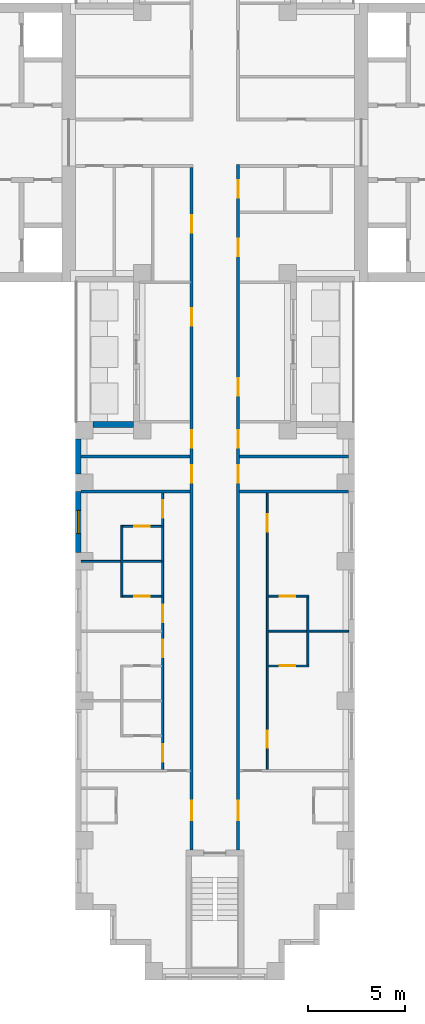
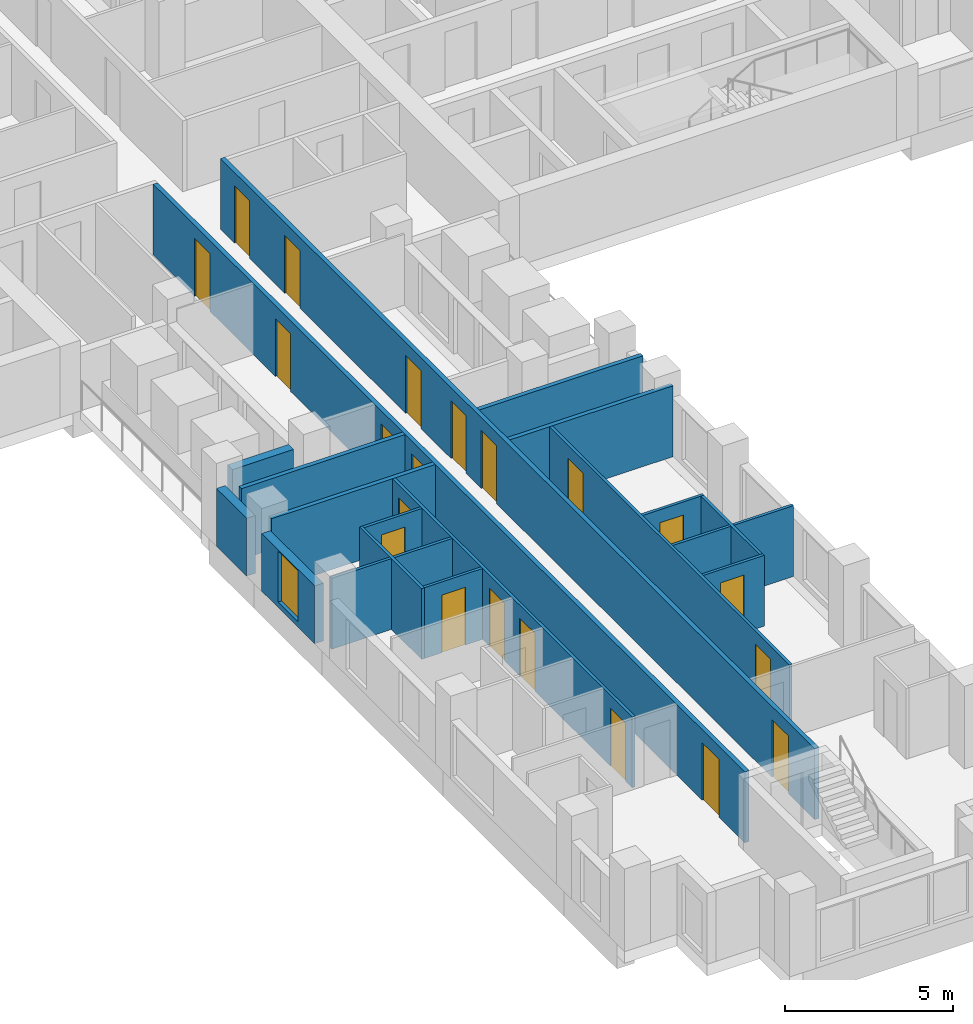
# One storey, part 4 of 13: 21 doors, 19 walls, 1 window, 22 openings.
"""IFC4 building model written with IfcOpenShell, lengths in metres."""

from ifc_helpers import new_model, si_unit, direction, frame, frame_2d, origin, place, context, subcontext, project, spatial, rectangle, extrude, material, layer, layer_set, type_object, element, fill, save


model = new_model("IFC4")

# Units and contexts
model_context = context("Model", 3, precision=1e-05, world=origin(), true_north=direction((0.0, 1.0)))
body_context = subcontext(model_context, "Body", "Model", "MODEL_VIEW")
ifc_project = project(units=[si_unit("LENGTHUNIT", "METRE"), si_unit("AREAUNIT", "SQUARE_METRE"), si_unit("VOLUMEUNIT", "CUBIC_METRE"), si_unit("PLANEANGLEUNIT", "RADIAN"), si_unit("MASSUNIT", "GRAM", prefix="KILO")], contexts=[model_context])

# Site, building, storey
site_placement = place(None, origin())
site = spatial("IfcSite", under=ifc_project, at=site_placement, CompositionType="ELEMENT")
building_placement = place(site_placement, origin())
building = spatial("IfcBuilding", under=site, at=building_placement, Name="Fustian Cross Tower", CompositionType="ELEMENT")
storey_placement = place(building_placement, frame((0.0, 0.0, 105.89990234375)))
storey = spatial("IfcBuildingStorey", under=building, at=storey_placement, Name="L33", CompositionType="ELEMENT", Elevation=105.89990234375)

# Walls
ifc_material_1 = material(Name="Plasterboard on steel stud", Category="steel")
ifc_layer_1 = layer(ifc_material_1, 0.14990234375)
ifc_layer_set_1 = layer_set([ifc_layer_1], Name="Plasterboard on steel stud")
wall_type_1 = type_object("IfcWallType", Name="COMPARTMENT WALL 150 EI 60", PredefinedType="PARTITIONING", material=ifc_layer_set_1)
for number, where, z_axis, x_axis, name in (
    (1, (-6.89990234375, -18.0, 0.0), (0.0, 0.0, 1.0), (1.0, 0.0, 0.0), "Partition 21"),
    (2, (-6.89990234375, -16.199951171875, 0.0), (0.0, 0.0, 1.0), (1.0, 0.0, 0.0), "Partition 22"),
):
    element("IfcWall", number, at=place(storey_placement, frame(where, z_axis=z_axis, x_axis=x_axis)), inside=storey, type_object=wall_type_1, Name=name, PredefinedType="PARTITIONING", context=body_context, shape_type="SweptSolid", body=[
        extrude(rectangle(XDim=5.625, YDim=0.14990234375, at=frame_2d((2.8125, 0.0))), origin(), (0.0, 0.0, 1.0), 2.5751953125),
    ])

# Wall, openings, doors
wall_1_placement = place(storey_placement, frame((-1.199951171875, -36.5, 0.0), z_axis=(0.0, 0.0, 1.0), x_axis=(0.0, 1.0, 0.0)))
wall_1 = element("IfcWall", 3, at=wall_1_placement, inside=storey, type_object=wall_type_1, Name="Partition 40", PredefinedType="PARTITIONING", context=body_context, shape_type="SweptSolid", body=[
    extrude(rectangle(XDim=35.22509765625, YDim=0.14990234375, at=frame_2d((17.612548828125, 0.0))), origin(), (0.0, 0.0, 1.0), 2.5751953125),
])
opening_1_placement = place(wall_1_placement, frame((31.85009765625, 0.0, 0.0)))
opening_1 = element("IfcOpeningElement", 4, at=opening_1_placement, cuts=wall_1, Name="Opening D15008", PredefinedType="OPENING", context=body_context, shape_type="SweptSolid", body=[
    extrude(rectangle(XDim=0.89990234375, YDim=2.10009765625, at=frame_2d((0.449951171875, 1.050048828125))), frame((0.0, 0.0849609375, 0.0), z_axis=(0.0, -1.0, 0.0), x_axis=(1.0, 0.0, 0.0)), (0.0, 0.0, 1.0), 0.169921875),
])
opening_2_placement = place(wall_1_placement, frame((27.050048828125, 0.0, 0.0)))
opening_2 = element("IfcOpeningElement", 5, at=opening_2_placement, cuts=wall_1, Name="Opening D15047", PredefinedType="OPENING", context=body_context, shape_type="SweptSolid", body=[
    extrude(rectangle(XDim=0.89990234375, YDim=2.10009765625, at=frame_2d((0.449951171875, 1.050048828125))), frame((0.0, 0.0849609375, 0.0), z_axis=(0.0, -1.0, 0.0), x_axis=(1.0, 0.0, 0.0)), (0.0, 0.0, 1.0), 0.169921875),
])
opening_3_placement = place(wall_1_placement, frame((20.75, 0.0, 0.0)))
opening_3 = element("IfcOpeningElement", 6, at=opening_3_placement, cuts=wall_1, Name="Opening D15048", PredefinedType="OPENING", context=body_context, shape_type="SweptSolid", body=[
    extrude(rectangle(XDim=0.89990234375, YDim=2.10009765625, at=frame_2d((0.449951171875, 1.050048828125))), frame((0.0, 0.0849609375, 0.0), z_axis=(0.0, -1.0, 0.0), x_axis=(1.0, 0.0, 0.0)), (0.0, 0.0, 1.0), 0.169921875),
])
opening_4_placement = place(wall_1_placement, frame((18.949951171875, 0.0, 0.0)))
opening_4 = element("IfcOpeningElement", 7, at=opening_4_placement, cuts=wall_1, Name="Opening D15049", PredefinedType="OPENING", context=body_context, shape_type="SweptSolid", body=[
    extrude(rectangle(XDim=0.89990234375, YDim=2.10009765625, at=frame_2d((0.449951171875, 1.050048828125))), frame((0.0, 0.0849609375, 0.0), z_axis=(0.0, -1.0, 0.0), x_axis=(1.0, 0.0, 0.0)), (0.0, 0.0, 1.0), 0.169921875),
])
opening_5_placement = place(wall_1_placement, frame((1.550048828125, 0.0, 0.0)))
opening_5 = element("IfcOpeningElement", 8, at=opening_5_placement, cuts=wall_1, Name="Opening D15051", PredefinedType="OPENING", context=body_context, shape_type="SweptSolid", body=[
    extrude(rectangle(XDim=1.0, YDim=2.10009765625, at=frame_2d((0.5, 1.050048828125))), frame((0.0, 0.0849609375, 0.0), z_axis=(0.0, -1.0, 0.0), x_axis=(1.0, 0.0, 0.0)), (0.0, 0.0, 1.0), 0.169921875),
])
ifc_material_2 = material(Name="Timber fire door set", Category="wood")
door_type_1 = type_object("IfcDoorType", Name="FIRE SWING DOOR 1000 FD30S", OperationType="SINGLE_SWING_LEFT", PredefinedType="DOOR", material=ifc_material_2)
door_1_placement = place(opening_5_placement, origin())
door_1 = element("IfcDoor", 9, at=door_1_placement, inside=storey, type_object=door_type_1, Name="Door D15051", OperationType="SINGLE_SWING_RIGHT", OverallHeight=2.10009765625, OverallWidth=1.0, PredefinedType="DOOR", context=body_context, shape_type="SweptSolid", body=[
    extrude(rectangle(XDim=1.0, YDim=2.10009765625, at=frame_2d((0.5, 1.050048828125))), frame((0.0, 0.02490234375, 0.0), z_axis=(0.0, -1.0, 0.0), x_axis=(1.0, 0.0, 0.0)), (0.0, 0.0, 1.0), 0.050048828125),
])
fill(opening_5, door_1)
ifc_material_3 = material(Name="Timber fire door set", Category="wood")
door_type_2 = type_object("IfcDoorType", Name="FIRE SWING DOOR 900 FD30S", OperationType="SINGLE_SWING_LEFT", PredefinedType="DOOR", material=ifc_material_3)
door_2_placement = place(opening_1_placement, origin())
door_2 = element("IfcDoor", 10, at=door_2_placement, inside=storey, type_object=door_type_2, Name="Door D15008", OperationType="SINGLE_SWING_LEFT", OverallHeight=2.10009765625, OverallWidth=0.89990234375, PredefinedType="DOOR", context=body_context, shape_type="SweptSolid", body=[
    extrude(rectangle(XDim=0.89990234375, YDim=2.10009765625, at=frame_2d((0.449951171875, 1.050048828125))), frame((0.0, 0.02490234375, 0.0), z_axis=(0.0, -1.0, 0.0), x_axis=(1.0, 0.0, 0.0)), (0.0, 0.0, 1.0), 0.050048828125),
])
fill(opening_1, door_2)
door_3_placement = place(opening_2_placement, origin())
door_3 = element("IfcDoor", 11, at=door_3_placement, inside=storey, type_object=door_type_2, Name="Door D15047", OperationType="SINGLE_SWING_RIGHT", OverallHeight=2.10009765625, OverallWidth=0.89990234375, PredefinedType="DOOR", context=body_context, shape_type="SweptSolid", body=[
    extrude(rectangle(XDim=0.89990234375, YDim=2.10009765625, at=frame_2d((0.449951171875, 1.050048828125))), frame((0.0, 0.02490234375, 0.0), z_axis=(0.0, -1.0, 0.0), x_axis=(1.0, 0.0, 0.0)), (0.0, 0.0, 1.0), 0.050048828125),
])
fill(opening_2, door_3)
door_4_placement = place(opening_3_placement, origin())
door_4 = element("IfcDoor", 12, at=door_4_placement, inside=storey, type_object=door_type_2, Name="Door D15048", OperationType="SINGLE_SWING_RIGHT", OverallHeight=2.10009765625, OverallWidth=0.89990234375, PredefinedType="DOOR", context=body_context, shape_type="SweptSolid", body=[
    extrude(rectangle(XDim=0.89990234375, YDim=2.10009765625, at=frame_2d((0.449951171875, 1.050048828125))), frame((0.0, 0.02490234375, 0.0), z_axis=(0.0, -1.0, 0.0), x_axis=(1.0, 0.0, 0.0)), (0.0, 0.0, 1.0), 0.050048828125),
])
fill(opening_3, door_4)
door_5_placement = place(opening_4_placement, frame((0.89990234375, 0.0, 0.0), z_axis=(0.0, 0.0, 1.0), x_axis=(-1.0, 0.0, 0.0)))
door_5 = element("IfcDoor", 13, at=door_5_placement, inside=storey, type_object=door_type_2, Name="Door D15049", OperationType="SINGLE_SWING_LEFT", OverallHeight=2.10009765625, OverallWidth=0.89990234375, PredefinedType="DOOR", context=body_context, shape_type="SweptSolid", body=[
    extrude(rectangle(XDim=0.89990234375, YDim=2.10009765625, at=frame_2d((0.449951171875, 1.050048828125))), frame((0.0, 0.02490234375, 0.0), z_axis=(0.0, -1.0, 0.0), x_axis=(1.0, 0.0, 0.0)), (0.0, 0.0, 1.0), 0.050048828125),
])
fill(opening_4, door_5)

wall_2_placement = place(storey_placement, frame((1.199951171875, -36.5, 0.0), z_axis=(0.0, 0.0, 1.0), x_axis=(0.0, 1.0, 0.0)))
wall_2 = element("IfcWall", 14, at=wall_2_placement, inside=storey, type_object=wall_type_1, Name="Partition 43", PredefinedType="PARTITIONING", context=body_context, shape_type="SweptSolid", body=[
    extrude(rectangle(XDim=35.375, YDim=0.14990234375, at=frame_2d((17.6875, 0.0))), origin(), (0.0, 0.0, 1.0), 2.5751953125),
])
opening_6_placement = place(wall_2_placement, frame((33.64990234375, 0.0, 0.0)))
opening_6 = element("IfcOpeningElement", 15, at=opening_6_placement, cuts=wall_2, Name="Opening D15005", PredefinedType="OPENING", context=body_context, shape_type="SweptSolid", body=[
    extrude(rectangle(XDim=0.89990234375, YDim=2.10009765625, at=frame_2d((0.449951171875, 1.050048828125))), frame((0.0, 0.0849609375, 0.0), z_axis=(0.0, -1.0, 0.0), x_axis=(1.0, 0.0, 0.0)), (0.0, 0.0, 1.0), 0.169921875),
])
opening_7_placement = place(wall_2_placement, frame((30.64990234375, 0.0, 0.0)))
opening_7 = element("IfcOpeningElement", 16, at=opening_7_placement, cuts=wall_2, Name="Opening D15007", PredefinedType="OPENING", context=body_context, shape_type="SweptSolid", body=[
    extrude(rectangle(XDim=0.89990234375, YDim=2.10009765625, at=frame_2d((0.449951171875, 1.050048828125))), frame((0.0, 0.0849609375, 0.0), z_axis=(0.0, -1.0, 0.0), x_axis=(1.0, 0.0, 0.0)), (0.0, 0.0, 1.0), 0.169921875),
])
opening_8_placement = place(wall_2_placement, frame((23.449951171875, 0.0, 0.0)))
opening_8 = element("IfcOpeningElement", 17, at=opening_8_placement, cuts=wall_2, Name="Opening D15037", PredefinedType="OPENING", context=body_context, shape_type="SweptSolid", body=[
    extrude(rectangle(XDim=0.89990234375, YDim=2.10009765625, at=frame_2d((0.449951171875, 1.050048828125))), frame((0.0, 0.0849609375, 0.0), z_axis=(0.0, -1.0, 0.0), x_axis=(1.0, 0.0, 0.0)), (0.0, 0.0, 1.0), 0.169921875),
])
opening_9_placement = place(wall_2_placement, frame((20.75, 0.0, 0.0)))
opening_9 = element("IfcOpeningElement", 18, at=opening_9_placement, cuts=wall_2, Name="Opening D15038", PredefinedType="OPENING", context=body_context, shape_type="SweptSolid", body=[
    extrude(rectangle(XDim=0.89990234375, YDim=2.10009765625, at=frame_2d((0.449951171875, 1.050048828125))), frame((0.0, 0.0849609375, 0.0), z_axis=(0.0, -1.0, 0.0), x_axis=(1.0, 0.0, 0.0)), (0.0, 0.0, 1.0), 0.169921875),
])
opening_10_placement = place(wall_2_placement, frame((18.949951171875, 0.0, 0.0)))
opening_10 = element("IfcOpeningElement", 19, at=opening_10_placement, cuts=wall_2, Name="Opening D15039", PredefinedType="OPENING", context=body_context, shape_type="SweptSolid", body=[
    extrude(rectangle(XDim=0.89990234375, YDim=2.10009765625, at=frame_2d((0.449951171875, 1.050048828125))), frame((0.0, 0.0849609375, 0.0), z_axis=(0.0, -1.0, 0.0), x_axis=(1.0, 0.0, 0.0)), (0.0, 0.0, 1.0), 0.169921875),
])
opening_11_placement = place(wall_2_placement, frame((1.550048828125, 0.0, 0.0)))
opening_11 = element("IfcOpeningElement", 20, at=opening_11_placement, cuts=wall_2, Name="Opening D15041", PredefinedType="OPENING", context=body_context, shape_type="SweptSolid", body=[
    extrude(rectangle(XDim=1.0, YDim=2.10009765625, at=frame_2d((0.5, 1.050048828125))), frame((0.0, 0.0849609375, 0.0), z_axis=(0.0, -1.0, 0.0), x_axis=(1.0, 0.0, 0.0)), (0.0, 0.0, 1.0), 0.169921875),
])
door_6_placement = place(opening_11_placement, frame((1.0, 0.0, 0.0), z_axis=(0.0, 0.0, 1.0), x_axis=(-1.0, 0.0, 0.0)))
door_6 = element("IfcDoor", 21, at=door_6_placement, inside=storey, type_object=door_type_1, Name="Door D15041", OperationType="SINGLE_SWING_LEFT", OverallHeight=2.10009765625, OverallWidth=1.0, PredefinedType="DOOR", context=body_context, shape_type="SweptSolid", body=[
    extrude(rectangle(XDim=1.0, YDim=2.10009765625, at=frame_2d((0.5, 1.050048828125))), frame((0.0, 0.02490234375, 0.0), z_axis=(0.0, -1.0, 0.0), x_axis=(1.0, 0.0, 0.0)), (0.0, 0.0, 1.0), 0.050048828125),
])
fill(opening_11, door_6)
door_7_placement = place(opening_6_placement, frame((0.89990234375, 0.0, 0.0), z_axis=(0.0, 0.0, 1.0), x_axis=(-1.0, 0.0, 0.0)))
door_7 = element("IfcDoor", 22, at=door_7_placement, inside=storey, type_object=door_type_2, Name="Door D15005", OperationType="SINGLE_SWING_RIGHT", OverallHeight=2.10009765625, OverallWidth=0.89990234375, PredefinedType="DOOR", context=body_context, shape_type="SweptSolid", body=[
    extrude(rectangle(XDim=0.89990234375, YDim=2.10009765625, at=frame_2d((0.449951171875, 1.050048828125))), frame((0.0, 0.02490234375, 0.0), z_axis=(0.0, -1.0, 0.0), x_axis=(1.0, 0.0, 0.0)), (0.0, 0.0, 1.0), 0.050048828125),
])
fill(opening_6, door_7)
door_8_placement = place(opening_7_placement, frame((0.89990234375, 0.0, 0.0), z_axis=(0.0, 0.0, 1.0), x_axis=(-1.0, 0.0, 0.0)))
door_8 = element("IfcDoor", 23, at=door_8_placement, inside=storey, type_object=door_type_2, Name="Door D15007", OperationType="SINGLE_SWING_RIGHT", OverallHeight=2.10009765625, OverallWidth=0.89990234375, PredefinedType="DOOR", context=body_context, shape_type="SweptSolid", body=[
    extrude(rectangle(XDim=0.89990234375, YDim=2.10009765625, at=frame_2d((0.449951171875, 1.050048828125))), frame((0.0, 0.02490234375, 0.0), z_axis=(0.0, -1.0, 0.0), x_axis=(1.0, 0.0, 0.0)), (0.0, 0.0, 1.0), 0.050048828125),
])
fill(opening_7, door_8)
door_9_placement = place(opening_8_placement, frame((0.89990234375, 0.0, 0.0), z_axis=(0.0, 0.0, 1.0), x_axis=(-1.0, 0.0, 0.0)))
door_9 = element("IfcDoor", 24, at=door_9_placement, inside=storey, type_object=door_type_2, Name="Door D15037", OperationType="SINGLE_SWING_RIGHT", OverallHeight=2.10009765625, OverallWidth=0.89990234375, PredefinedType="DOOR", context=body_context, shape_type="SweptSolid", body=[
    extrude(rectangle(XDim=0.89990234375, YDim=2.10009765625, at=frame_2d((0.449951171875, 1.050048828125))), frame((0.0, 0.02490234375, 0.0), z_axis=(0.0, -1.0, 0.0), x_axis=(1.0, 0.0, 0.0)), (0.0, 0.0, 1.0), 0.050048828125),
])
fill(opening_8, door_9)
door_10_placement = place(opening_9_placement, origin())
door_10 = element("IfcDoor", 25, at=door_10_placement, inside=storey, type_object=door_type_2, Name="Door D15038", OperationType="SINGLE_SWING_RIGHT", OverallHeight=2.10009765625, OverallWidth=0.89990234375, PredefinedType="DOOR", context=body_context, shape_type="SweptSolid", body=[
    extrude(rectangle(XDim=0.89990234375, YDim=2.10009765625, at=frame_2d((0.449951171875, 1.050048828125))), frame((0.0, 0.02490234375, 0.0), z_axis=(0.0, -1.0, 0.0), x_axis=(1.0, 0.0, 0.0)), (0.0, 0.0, 1.0), 0.050048828125),
])
fill(opening_9, door_10)
door_11_placement = place(opening_10_placement, frame((0.89990234375, 0.0, 0.0), z_axis=(0.0, 0.0, 1.0), x_axis=(-1.0, 0.0, 0.0)))
door_11 = element("IfcDoor", 26, at=door_11_placement, inside=storey, type_object=door_type_2, Name="Door D15039", OperationType="SINGLE_SWING_LEFT", OverallHeight=2.10009765625, OverallWidth=0.89990234375, PredefinedType="DOOR", context=body_context, shape_type="SweptSolid", body=[
    extrude(rectangle(XDim=0.89990234375, YDim=2.10009765625, at=frame_2d((0.449951171875, 1.050048828125))), frame((0.0, 0.02490234375, 0.0), z_axis=(0.0, -1.0, 0.0), x_axis=(1.0, 0.0, 0.0)), (0.0, 0.0, 1.0), 0.050048828125),
])
fill(opening_10, door_11)

# Walls
for number, where, z_axis, x_axis, name in (
    (27, (1.27490234375, -18.0, 0.0), (0.0, 0.0, 1.0), (1.0, 0.0, 0.0), "Partition 45"),
    (28, (1.27490234375, -16.199951171875, 0.0), (0.0, 0.0, 1.0), (1.0, 0.0, 0.0), "Partition 46"),
):
    element("IfcWall", number, at=place(storey_placement, frame(where, z_axis=z_axis, x_axis=x_axis)), inside=storey, type_object=wall_type_1, Name=name, PredefinedType="PARTITIONING", context=body_context, shape_type="SweptSolid", body=[
        extrude(rectangle(XDim=5.625, YDim=0.14990234375, at=frame_2d((2.8125, 0.0))), origin(), (0.0, 0.0, 1.0), 2.5751953125),
    ])
ifc_material_4 = material(Name="Plasterboard on steel stud", Category="steel")
ifc_layer_2 = layer(ifc_material_4, 0.10009765625)
ifc_layer_set_2 = layer_set([ifc_layer_2], Name="Plasterboard on steel stud")
wall_type_2 = type_object("IfcWallType", Name="PARTITION 100 STUD", PredefinedType="PARTITIONING", material=ifc_layer_set_2)
wall_3_placement = place(storey_placement, frame((-6.89990234375, -21.60009765625, 0.0), z_axis=(0.0, 0.0, 1.0), x_axis=(1.0, 0.0, 0.0)))
element("IfcWall", 29, at=wall_3_placement, inside=storey, type_object=wall_type_2, Name="Partition 20", PredefinedType="PARTITIONING", context=body_context, shape_type="SweptSolid", body=[
    extrude(rectangle(XDim=4.14990234375, YDim=0.10009765625, at=frame_2d((2.074951171875, 0.0))), origin(), (0.0, 0.0, 1.0), 2.5751953125),
])
wall_4_placement = place(storey_placement, frame((-4.800048828125, -23.449951171875, 0.0), z_axis=(0.0, 0.0, 1.0), x_axis=(0.0, 1.0, 0.0)))
element("IfcWall", 30, at=wall_4_placement, inside=storey, type_object=wall_type_2, Name="Partition 28", PredefinedType="PARTITIONING", context=body_context, shape_type="SweptSolid", body=[
    extrude(rectangle(XDim=3.699951171875, YDim=0.10009765625, at=frame_2d((1.85009765625, 0.0))), origin(), (0.0, 0.0, 1.0), 2.5751953125),
])

# Wall, opening, door
wall_5_placement = place(storey_placement, frame((-4.75, -23.39990234375, 0.0), z_axis=(0.0, 0.0, 1.0), x_axis=(1.0, 0.0, 0.0)))
wall_5 = element("IfcWall", 31, at=wall_5_placement, inside=storey, type_object=wall_type_2, Name="Partition 29", PredefinedType="PARTITIONING", context=body_context, shape_type="SweptSolid", body=[
    extrude(rectangle(XDim=2.0, YDim=0.10009765625, at=frame_2d((1.0, 0.0))), origin(), (0.0, 0.0, 1.0), 2.5751953125),
])
opening_12_placement = place(wall_5_placement, frame((0.60009765625, 0.0, 0.0)))
opening_12 = element("IfcOpeningElement", 32, at=opening_12_placement, cuts=wall_5, Name="Opening D15058", PredefinedType="OPENING", context=body_context, shape_type="SweptSolid", body=[
    extrude(rectangle(XDim=0.800048828125, YDim=2.10009765625, at=frame_2d((0.39990234375, 1.050048828125))), frame((0.0, 0.06005859375, 0.0), z_axis=(0.0, -1.0, 0.0), x_axis=(1.0, 0.0, 0.0)), (0.0, 0.0, 1.0), 0.1201171875),
])
ifc_material_5 = material(Name="Painted timber", Category="wood")
door_type_3 = type_object("IfcDoorType", Name="SWING DOOR 800", OperationType="SINGLE_SWING_LEFT", PredefinedType="DOOR", material=ifc_material_5)
door_12_placement = place(opening_12_placement, origin())
door_12 = element("IfcDoor", 33, at=door_12_placement, inside=storey, type_object=door_type_3, Name="Door D15058", OperationType="SINGLE_SWING_LEFT", OverallHeight=2.10009765625, OverallWidth=0.800048828125, PredefinedType="DOOR", context=body_context, shape_type="SweptSolid", body=[
    extrude(rectangle(XDim=0.800048828125, YDim=2.10009765625, at=frame_2d((0.39990234375, 1.050048828125))), frame((0.0, 0.02490234375, 0.0), z_axis=(0.0, -1.0, 0.0), x_axis=(1.0, 0.0, 0.0)), (0.0, 0.0, 1.0), 0.050048828125),
])
fill(opening_12, door_12)

wall_6_placement = place(storey_placement, frame((-4.75, -19.800048828125, 0.0), z_axis=(0.0, 0.0, 1.0), x_axis=(1.0, 0.0, 0.0)))
wall_6 = element("IfcWall", 34, at=wall_6_placement, inside=storey, type_object=wall_type_2, Name="Partition 30", PredefinedType="PARTITIONING", context=body_context, shape_type="SweptSolid", body=[
    extrude(rectangle(XDim=2.0, YDim=0.10009765625, at=frame_2d((1.0, 0.0))), origin(), (0.0, 0.0, 1.0), 2.5751953125),
])
opening_13_placement = place(wall_6_placement, frame((0.60009765625, 0.0, 0.0)))
opening_13 = element("IfcOpeningElement", 35, at=opening_13_placement, cuts=wall_6, Name="Opening D15057", PredefinedType="OPENING", context=body_context, shape_type="SweptSolid", body=[
    extrude(rectangle(XDim=0.800048828125, YDim=2.10009765625, at=frame_2d((0.39990234375, 1.050048828125))), frame((0.0, 0.06005859375, 0.0), z_axis=(0.0, -1.0, 0.0), x_axis=(1.0, 0.0, 0.0)), (0.0, 0.0, 1.0), 0.1201171875),
])
door_13_placement = place(opening_13_placement, frame((0.800048828125, 0.0, 0.0), z_axis=(0.0, 0.0, 1.0), x_axis=(-1.0, 0.0, 0.0)))
door_13 = element("IfcDoor", 36, at=door_13_placement, inside=storey, type_object=door_type_3, Name="Door D15057", OperationType="SINGLE_SWING_RIGHT", OverallHeight=2.10009765625, OverallWidth=0.800048828125, PredefinedType="DOOR", context=body_context, shape_type="SweptSolid", body=[
    extrude(rectangle(XDim=0.800048828125, YDim=2.10009765625, at=frame_2d((0.39990234375, 1.050048828125))), frame((0.0, 0.02490234375, 0.0), z_axis=(0.0, -1.0, 0.0), x_axis=(1.0, 0.0, 0.0)), (0.0, 0.0, 1.0), 0.050048828125),
])
fill(opening_13, door_13)

# Wall, openings, doors
wall_7_placement = place(storey_placement, frame((-2.699951171875, -32.35009765625, 0.0), z_axis=(0.0, 0.0, 1.0), x_axis=(0.0, 1.0, 0.0)))
wall_7 = element("IfcWall", 37, at=wall_7_placement, inside=storey, type_object=wall_type_2, Name="Partition 39", PredefinedType="PARTITIONING", context=body_context, shape_type="SweptSolid", body=[
    extrude(rectangle(XDim=14.275146484375, YDim=0.10009765625, at=frame_2d((7.1376953125, 0.0))), origin(), (0.0, 0.0, 1.0), 2.5751953125),
])
opening_14_placement = place(wall_7_placement, frame((0.400146484375, 0.0, 0.0)))
opening_14 = element("IfcOpeningElement", 38, at=opening_14_placement, cuts=wall_7, Name="Opening D15052", PredefinedType="OPENING", context=body_context, shape_type="SweptSolid", body=[
    extrude(rectangle(XDim=0.89990234375, YDim=2.10009765625, at=frame_2d((0.449951171875, 1.050048828125))), frame((0.0, 0.06005859375, 0.0), z_axis=(0.0, -1.0, 0.0), x_axis=(1.0, 0.0, 0.0)), (0.0, 0.0, 1.0), 0.1201171875),
])
opening_15_placement = place(wall_7_placement, frame((5.800048828125, 0.0, 0.0)))
opening_15 = element("IfcOpeningElement", 39, at=opening_15_placement, cuts=wall_7, Name="Opening D15053", PredefinedType="OPENING", context=body_context, shape_type="SweptSolid", body=[
    extrude(rectangle(XDim=0.89990234375, YDim=2.10009765625, at=frame_2d((0.449951171875, 1.050048828125))), frame((0.0, 0.06005859375, 0.0), z_axis=(0.0, -1.0, 0.0), x_axis=(1.0, 0.0, 0.0)), (0.0, 0.0, 1.0), 0.1201171875),
])
opening_16_placement = place(wall_7_placement, frame((7.60009765625, 0.0, 0.0)))
opening_16 = element("IfcOpeningElement", 40, at=opening_16_placement, cuts=wall_7, Name="Opening D15054", PredefinedType="OPENING", context=body_context, shape_type="SweptSolid", body=[
    extrude(rectangle(XDim=0.89990234375, YDim=2.10009765625, at=frame_2d((0.449951171875, 1.050048828125))), frame((0.0, 0.06005859375, 0.0), z_axis=(0.0, -1.0, 0.0), x_axis=(1.0, 0.0, 0.0)), (0.0, 0.0, 1.0), 0.1201171875),
])
opening_17_placement = place(wall_7_placement, frame((13.0, 0.0, 0.0)))
opening_17 = element("IfcOpeningElement", 41, at=opening_17_placement, cuts=wall_7, Name="Opening D15055", PredefinedType="OPENING", context=body_context, shape_type="SweptSolid", body=[
    extrude(rectangle(XDim=0.89990234375, YDim=2.10009765625, at=frame_2d((0.449951171875, 1.050048828125))), frame((0.0, 0.06005859375, 0.0), z_axis=(0.0, -1.0, 0.0), x_axis=(1.0, 0.0, 0.0)), (0.0, 0.0, 1.0), 0.1201171875),
])
ifc_material_6 = material(Name="Painted timber", Category="wood")
door_type_4 = type_object("IfcDoorType", Name="SWING DOOR 900", OperationType="SINGLE_SWING_LEFT", PredefinedType="DOOR", material=ifc_material_6)
door_14_placement = place(opening_14_placement, origin())
door_14 = element("IfcDoor", 42, at=door_14_placement, inside=storey, type_object=door_type_4, Name="Door D15052", OperationType="SINGLE_SWING_LEFT", OverallHeight=2.10009765625, OverallWidth=0.89990234375, PredefinedType="DOOR", context=body_context, shape_type="SweptSolid", body=[
    extrude(rectangle(XDim=0.89990234375, YDim=2.10009765625, at=frame_2d((0.449951171875, 1.050048828125))), frame((0.0, 0.02490234375, 0.0), z_axis=(0.0, -1.0, 0.0), x_axis=(1.0, 0.0, 0.0)), (0.0, 0.0, 1.0), 0.050048828125),
])
fill(opening_14, door_14)
door_15_placement = place(opening_15_placement, origin())
door_15 = element("IfcDoor", 43, at=door_15_placement, inside=storey, type_object=door_type_4, Name="Door D15053", OperationType="SINGLE_SWING_LEFT", OverallHeight=2.10009765625, OverallWidth=0.89990234375, PredefinedType="DOOR", context=body_context, shape_type="SweptSolid", body=[
    extrude(rectangle(XDim=0.89990234375, YDim=2.10009765625, at=frame_2d((0.449951171875, 1.050048828125))), frame((0.0, 0.02490234375, 0.0), z_axis=(0.0, -1.0, 0.0), x_axis=(1.0, 0.0, 0.0)), (0.0, 0.0, 1.0), 0.050048828125),
])
fill(opening_15, door_15)
door_16_placement = place(opening_16_placement, origin())
door_16 = element("IfcDoor", 44, at=door_16_placement, inside=storey, type_object=door_type_4, Name="Door D15054", OperationType="SINGLE_SWING_LEFT", OverallHeight=2.10009765625, OverallWidth=0.89990234375, PredefinedType="DOOR", context=body_context, shape_type="SweptSolid", body=[
    extrude(rectangle(XDim=0.89990234375, YDim=2.10009765625, at=frame_2d((0.449951171875, 1.050048828125))), frame((0.0, 0.02490234375, 0.0), z_axis=(0.0, -1.0, 0.0), x_axis=(1.0, 0.0, 0.0)), (0.0, 0.0, 1.0), 0.050048828125),
])
fill(opening_16, door_16)
door_17_placement = place(opening_17_placement, origin())
door_17 = element("IfcDoor", 45, at=door_17_placement, inside=storey, type_object=door_type_4, Name="Door D15055", OperationType="SINGLE_SWING_LEFT", OverallHeight=2.10009765625, OverallWidth=0.89990234375, PredefinedType="DOOR", context=body_context, shape_type="SweptSolid", body=[
    extrude(rectangle(XDim=0.89990234375, YDim=2.10009765625, at=frame_2d((0.449951171875, 1.050048828125))), frame((0.0, 0.02490234375, 0.0), z_axis=(0.0, -1.0, 0.0), x_axis=(1.0, 0.0, 0.0)), (0.0, 0.0, 1.0), 0.050048828125),
])
fill(opening_17, door_17)

wall_8_placement = place(storey_placement, frame((2.699951171875, -32.35009765625, 0.0), z_axis=(0.0, 0.0, 1.0), x_axis=(0.0, 1.0, 0.0)))
wall_8 = element("IfcWall", 46, at=wall_8_placement, inside=storey, type_object=wall_type_2, Name="Partition 59", PredefinedType="PARTITIONING", context=body_context, shape_type="SweptSolid", body=[
    extrude(rectangle(XDim=14.275146484375, YDim=0.10009765625, at=frame_2d((7.1376953125, 0.0))), origin(), (0.0, 0.0, 1.0), 2.5751953125),
])
opening_18_placement = place(wall_8_placement, frame((1.1201171875, 0.0, 0.0)))
opening_18 = element("IfcOpeningElement", 47, at=opening_18_placement, cuts=wall_8, Name="Opening D15043", PredefinedType="OPENING", context=body_context, shape_type="SweptSolid", body=[
    extrude(rectangle(XDim=0.89990234375, YDim=2.10009765625, at=frame_2d((0.449951171875, 1.050048828125))), frame((0.0, 0.06005859375, 0.0), z_axis=(0.0, -1.0, 0.0), x_axis=(1.0, 0.0, 0.0)), (0.0, 0.0, 1.0), 0.1201171875),
])
opening_19_placement = place(wall_8_placement, frame((12.280029296875, 0.0, 0.0)))
opening_19 = element("IfcOpeningElement", 48, at=opening_19_placement, cuts=wall_8, Name="Opening D15044", PredefinedType="OPENING", context=body_context, shape_type="SweptSolid", body=[
    extrude(rectangle(XDim=0.89990234375, YDim=2.10009765625, at=frame_2d((0.449951171875, 1.050048828125))), frame((0.0, 0.06005859375, 0.0), z_axis=(0.0, -1.0, 0.0), x_axis=(1.0, 0.0, 0.0)), (0.0, 0.0, 1.0), 0.1201171875),
])
door_18_placement = place(opening_18_placement, origin())
door_18 = element("IfcDoor", 49, at=door_18_placement, inside=storey, type_object=door_type_4, Name="Door D15043", OperationType="SINGLE_SWING_LEFT", OverallHeight=2.10009765625, OverallWidth=0.89990234375, PredefinedType="DOOR", context=body_context, shape_type="SweptSolid", body=[
    extrude(rectangle(XDim=0.89990234375, YDim=2.10009765625, at=frame_2d((0.449951171875, 1.050048828125))), frame((0.0, 0.02490234375, 0.0), z_axis=(0.0, -1.0, 0.0), x_axis=(1.0, 0.0, 0.0)), (0.0, 0.0, 1.0), 0.050048828125),
])
fill(opening_18, door_18)
door_19_placement = place(opening_19_placement, origin())
door_19 = element("IfcDoor", 50, at=door_19_placement, inside=storey, type_object=door_type_4, Name="Door D15044", OperationType="SINGLE_SWING_RIGHT", OverallHeight=2.10009765625, OverallWidth=0.89990234375, PredefinedType="DOOR", context=body_context, shape_type="SweptSolid", body=[
    extrude(rectangle(XDim=0.89990234375, YDim=2.10009765625, at=frame_2d((0.449951171875, 1.050048828125))), frame((0.0, 0.02490234375, 0.0), z_axis=(0.0, -1.0, 0.0), x_axis=(1.0, 0.0, 0.0)), (0.0, 0.0, 1.0), 0.050048828125),
])
fill(opening_19, door_19)

# Wall, opening, door
wall_9_placement = place(storey_placement, frame((2.75, -27.0, 0.0), z_axis=(0.0, 0.0, 1.0), x_axis=(1.0, 0.0, 0.0)))
wall_9 = element("IfcWall", 51, at=wall_9_placement, inside=storey, type_object=wall_type_2, Name="Partition 60", PredefinedType="PARTITIONING", context=body_context, shape_type="SweptSolid", body=[
    extrude(rectangle(XDim=2.10009765625, YDim=0.10009765625, at=frame_2d((1.050048828125, 0.0))), origin(), (0.0, 0.0, 1.0), 2.5751953125),
])
opening_20_placement = place(wall_9_placement, frame((0.60009765625, 0.0, 0.0)))
opening_20 = element("IfcOpeningElement", 52, at=opening_20_placement, cuts=wall_9, Name="Opening D15046", PredefinedType="OPENING", context=body_context, shape_type="SweptSolid", body=[
    extrude(rectangle(XDim=0.800048828125, YDim=2.10009765625, at=frame_2d((0.39990234375, 1.050048828125))), frame((0.0, 0.06005859375, 0.0), z_axis=(0.0, -1.0, 0.0), x_axis=(1.0, 0.0, 0.0)), (0.0, 0.0, 1.0), 0.1201171875),
])
door_20_placement = place(opening_20_placement, origin())
door_20 = element("IfcDoor", 53, at=door_20_placement, inside=storey, type_object=door_type_3, Name="Door D15046", OperationType="SINGLE_SWING_LEFT", OverallHeight=2.10009765625, OverallWidth=0.800048828125, PredefinedType="DOOR", context=body_context, shape_type="SweptSolid", body=[
    extrude(rectangle(XDim=0.800048828125, YDim=2.10009765625, at=frame_2d((0.39990234375, 1.050048828125))), frame((0.0, 0.02490234375, 0.0), z_axis=(0.0, -1.0, 0.0), x_axis=(1.0, 0.0, 0.0)), (0.0, 0.0, 1.0), 0.050048828125),
])
fill(opening_20, door_20)

# Wall
wall_10_placement = place(storey_placement, frame((2.75, -25.199951171875, 0.0), z_axis=(0.0, 0.0, 1.0), x_axis=(1.0, 0.0, 0.0)))
element("IfcWall", 54, at=wall_10_placement, inside=storey, type_object=wall_type_2, Name="Partition 61", PredefinedType="PARTITIONING", context=body_context, shape_type="SweptSolid", body=[
    extrude(rectangle(XDim=4.14990234375, YDim=0.10009765625, at=frame_2d((2.074951171875, 0.0))), origin(), (0.0, 0.0, 1.0), 2.5751953125),
])

# Wall, opening, door
wall_11_placement = place(storey_placement, frame((2.75, -23.39990234375, 0.0), z_axis=(0.0, 0.0, 1.0), x_axis=(1.0, 0.0, 0.0)))
wall_11 = element("IfcWall", 55, at=wall_11_placement, inside=storey, type_object=wall_type_2, Name="Partition 62", PredefinedType="PARTITIONING", context=body_context, shape_type="SweptSolid", body=[
    extrude(rectangle(XDim=2.10009765625, YDim=0.10009765625, at=frame_2d((1.050048828125, 0.0))), origin(), (0.0, 0.0, 1.0), 2.5751953125),
])
opening_21_placement = place(wall_11_placement, frame((0.60009765625, 0.0, 0.0)))
opening_21 = element("IfcOpeningElement", 56, at=opening_21_placement, cuts=wall_11, Name="Opening D15045", PredefinedType="OPENING", context=body_context, shape_type="SweptSolid", body=[
    extrude(rectangle(XDim=0.800048828125, YDim=2.10009765625, at=frame_2d((0.39990234375, 1.050048828125))), frame((0.0, 0.06005859375, 0.0), z_axis=(0.0, -1.0, 0.0), x_axis=(1.0, 0.0, 0.0)), (0.0, 0.0, 1.0), 0.1201171875),
])
door_21_placement = place(opening_21_placement, frame((0.800048828125, 0.0, 0.0), z_axis=(0.0, 0.0, 1.0), x_axis=(-1.0, 0.0, 0.0)))
door_21 = element("IfcDoor", 57, at=door_21_placement, inside=storey, type_object=door_type_3, Name="Door D15045", OperationType="SINGLE_SWING_RIGHT", OverallHeight=2.10009765625, OverallWidth=0.800048828125, PredefinedType="DOOR", context=body_context, shape_type="SweptSolid", body=[
    extrude(rectangle(XDim=0.800048828125, YDim=2.10009765625, at=frame_2d((0.39990234375, 1.050048828125))), frame((0.0, 0.02490234375, 0.0), z_axis=(0.0, -1.0, 0.0), x_axis=(1.0, 0.0, 0.0)), (0.0, 0.0, 1.0), 0.050048828125),
])
fill(opening_21, door_21)

# Walls
wall_12_placement = place(storey_placement, frame((4.800048828125, -26.949951171875, 0.0), z_axis=(0.0, 0.0, 1.0), x_axis=(0.0, 1.0, 0.0)))
element("IfcWall", 58, at=wall_12_placement, inside=storey, type_object=wall_type_2, Name="Partition 65", PredefinedType="PARTITIONING", context=body_context, shape_type="SweptSolid", body=[
    extrude(rectangle(XDim=3.5, YDim=0.10009765625, at=frame_2d((1.75, 0.0))), origin(), (0.0, 0.0, 1.0), 2.5751953125),
])
ifc_material_7 = material(Name="Dark aluminium cladding on insulated backing wall", Category="aluminium")
ifc_layer_3 = layer(ifc_material_7, 0.300048828125)
ifc_layer_set_3 = layer_set([ifc_layer_3], Name="Dark aluminium cladding on insulated backing wall")
wall_type_3 = type_object("IfcWallType", Name="XW1 EXTERNAL WALL 300", PredefinedType="SOLIDWALL", material=ifc_layer_set_3)
wall_13_placement = place(storey_placement, frame((-4.199951171875, -14.550048828125, 0.0), z_axis=(0.0, 0.0, 1.0), x_axis=(-1.0, 0.0, 0.0)))
element("IfcWall", 59, at=wall_13_placement, inside=storey, type_object=wall_type_3, Name="External wall", PredefinedType="SOLIDWALL", context=body_context, shape_type="SweptSolid", body=[
    extrude(rectangle(XDim=2.10009765625, YDim=0.300048828125, at=frame_2d((1.050048828125, 0.0))), origin(), (0.0, 0.0, 1.0), 2.10009765625),
])
wall_14_placement = place(storey_placement, frame((-7.050048828125, -15.300048828125, 0.0), z_axis=(0.0, 0.0, 1.0), x_axis=(0.0, -1.0, 0.0)))
element("IfcWall", 60, at=wall_14_placement, inside=storey, type_object=wall_type_3, Name="External wall", PredefinedType="SOLIDWALL", context=body_context, shape_type="SweptSolid", body=[
    extrude(rectangle(XDim=1.800048828125, YDim=0.300048828125, at=frame_2d((0.89990234375, 0.0))), origin(), (0.0, 0.0, 1.0), 2.10009765625),
])

# Wall, opening, window
wall_15_placement = place(storey_placement, frame((-7.050048828125, -18.0, 0.0), z_axis=(0.0, 0.0, 1.0), x_axis=(0.0, -1.0, 0.0)))
wall_15 = element("IfcWall", 61, at=wall_15_placement, inside=storey, type_object=wall_type_3, Name="External wall", PredefinedType="SOLIDWALL", context=body_context, shape_type="SweptSolid", body=[
    extrude(rectangle(XDim=3.14990234375, YDim=0.300048828125, at=frame_2d((1.574951171875, 0.0))), origin(), (0.0, 0.0, 1.0), 2.10009765625),
])
opening_22_placement = place(wall_15_placement, frame((0.97509765625, 0.0, 0.199951171875)))
opening_22 = element("IfcOpeningElement", 62, at=opening_22_placement, cuts=wall_15, Name="Opening WN3", PredefinedType="OPENING", context=body_context, shape_type="SweptSolid", body=[
    extrude(rectangle(XDim=1.199951171875, YDim=1.85009765625, at=frame_2d((0.60009765625, 0.925048828125))), frame((0.0, 0.159912109375, 0.0), z_axis=(0.0, -1.0, 0.0), x_axis=(1.0, 0.0, 0.0)), (0.0, 0.0, 1.0), 0.320068359375),
])
ifc_material_8 = material(Name="Dark anodised aluminium and double glazing", Category="aluminium")
window_type = type_object("IfcWindowType", Name="WN3 WINDOW 1200X1850", PartitioningType="SINGLE_PANEL", PredefinedType="WINDOW", material=ifc_material_8)
window_placement = place(opening_22_placement, origin())
window = element("IfcWindow", 63, at=window_placement, inside=storey, type_object=window_type, Name="Window", OverallHeight=1.85009765625, OverallWidth=1.199951171875, PartitioningType="SINGLE_PANEL", PredefinedType="WINDOW", context=body_context, shape_type="SweptSolid", body=[
    extrude(rectangle(XDim=1.199951171875, YDim=1.85009765625, at=frame_2d((0.60009765625, 0.925048828125))), frame((0.0, 0.030029296875, 0.0), z_axis=(0.0, -1.0, 0.0), x_axis=(1.0, 0.0, 0.0)), (0.0, 0.0, 1.0), 0.06005859375),
])
fill(opening_22, window)

save(model, "model.ifc")
